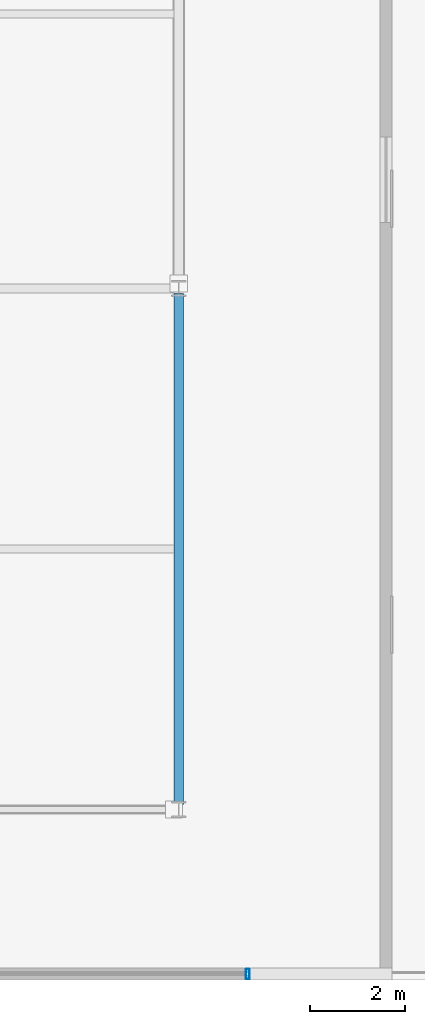
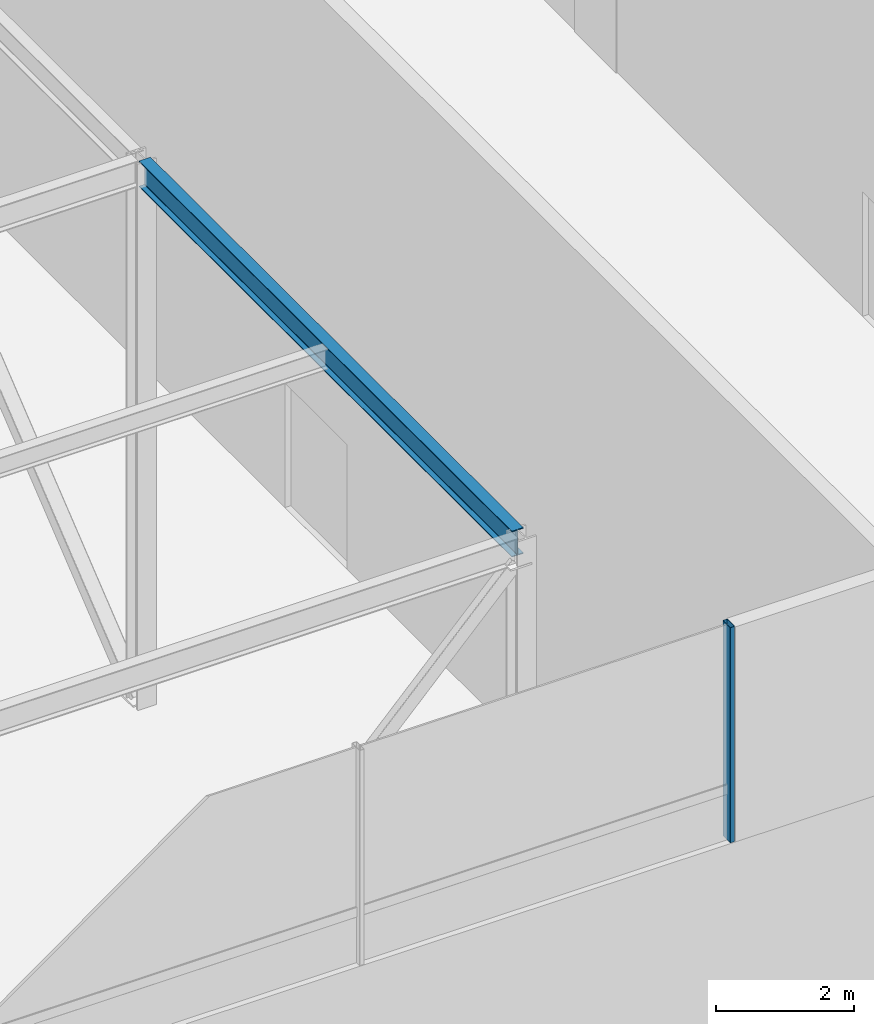
# One storey, part 11 of 42: 1 beam, 1 member, 1 element without a shape of its own.
"""IFC4 building model written with IfcOpenShell, lengths in metres."""

from ifc_helpers import new_model, si_unit, direction, frame, origin, origin_2d, place, context, subcontext, project, spatial, hollow_rectangle, i_section, extrude, material, layer, layer_set, material_profile, profile_set, type_object, element, aggregate, save


model = new_model("IFC4")

# Units and contexts
model_context = context("Model", 3, precision=1e-05, world=origin(), true_north=direction((0.0, 1.0)))
body_context = subcontext(model_context, "Body", "Model", "MODEL_VIEW")
ifc_project = project(units=[si_unit("LENGTHUNIT", "METRE"), si_unit("AREAUNIT", "SQUARE_METRE"), si_unit("VOLUMEUNIT", "CUBIC_METRE"), si_unit("PLANEANGLEUNIT", "RADIAN"), si_unit("MASSUNIT", "GRAM", prefix="KILO")], contexts=[model_context])

# Site, building, storey
site_placement = place(None, origin())
site = spatial("IfcSite", under=ifc_project, at=site_placement, CompositionType="ELEMENT")
building_placement = place(site_placement, origin())
building = spatial("IfcBuilding", under=site, at=building_placement, Name="Korimba Cascade Residences", CompositionType="ELEMENT")
storey_placement = place(building_placement, frame((0.0, 0.0, 207.60009765625)))
storey = spatial("IfcBuildingStorey", under=building, at=storey_placement, Name="L60", CompositionType="ELEMENT", Elevation=207.60009765625)

# Beam
ifc_material_1 = material(Name="Steel S355", Category="steel")
ifc_material_profile_1 = material_profile(ifc_material_1, i_section(OverallWidth=0.19140625, OverallDepth=0.4599609375, WebThickness=0.010009765625, FlangeThickness=0.01611328125, FilletRadius=0.01025390625, at=origin_2d()), Name="Steel S355")
ifc_profile_set_1 = profile_set([ifc_material_profile_1], Name="Steel S355")
beam_type = type_object("IfcBeamType", Name="BM-STL-UB457", PredefinedType="JOIST", material=ifc_profile_set_1)
beam_placement = place(storey_placement, frame((91.10009765625, -4.094970703125, 9.419921875), z_axis=(0.0, 1.0, 0.0), x_axis=(-1.0, 0.0, 0.0)))
element("IfcBeam", 1, at=beam_placement, inside=storey, type_object=beam_type, Name="L60 Crown Cap Tie Beam W3.1", PredefinedType="JOIST", context=body_context, shape_type="SweptSolid", body=[
    extrude(i_section(OverallWidth=0.19140625, OverallDepth=0.4599609375, WebThickness=0.010009765625, FlangeThickness=0.01611328125, FilletRadius=0.01025390625, at=origin_2d()), origin(), (0.0, 0.0, 1.0), 10.7900390625),
])

# Curtain wall, member
ifc_material_2 = material(Name="Anodised Aluminium Curtain Wall Framing", Category="aluminium")
ifc_layer = layer(ifc_material_2, 0.179931640625)
ifc_layer_set = layer_set([ifc_layer], Name="Anodised Aluminium Curtain Wall Framing")
curtain_wall_type = type_object("IfcCurtainWallType", Name="CW-CRNE-SYS6", PredefinedType="NOTDEFINED", material=ifc_layer_set)
curtain_wall_placement = place(storey_placement, origin())
curtain_wall = element("IfcCurtainWall", 2, at=curtain_wall_placement, inside=storey, type_object=curtain_wall_type, Name="L60 Curtain Wall CW-L60-CRN-W-3", PredefinedType="NOTDEFINED")
ifc_material_3 = material(Name="Anodised Aluminium Mullion", Category="aluminium")
ifc_material_profile_2 = material_profile(ifc_material_3, hollow_rectangle(XDim=0.080078125, YDim=0.219970703125, WallThickness=0.00634765625, InnerFilletRadius=0.00634765625, OuterFilletRadius=0.0126953125, at=origin_2d()), Name="Anodised Aluminium Mullion")
ifc_profile_set_2 = profile_set([ifc_material_profile_2], Name="Anodised Aluminium Mullion")
member_type = type_object("IfcMemberType", Name="CWM-MUL-220", PredefinedType="MULLION", material=ifc_profile_set_2)
member_placement = place(storey_placement, frame((92.56005859375, -7.675048828125, 5.849853515625), z_axis=(0.0, 0.0, 1.0), x_axis=(1.0, 0.0, 0.0)))
member = element("IfcMember", 3, at=member_placement, type_object=member_type, Name="CW-L60-CRN-W-3 Mullion 4", PredefinedType="MULLION", context=body_context, shape_type="SweptSolid", body=[
    extrude(hollow_rectangle(XDim=0.080078125, YDim=0.219970703125, WallThickness=0.00634765625, InnerFilletRadius=0.00634765625, OuterFilletRadius=0.0126953125, at=origin_2d()), origin(), (0.0, 0.0, 1.0), 3.800048828125),
])
aggregate(curtain_wall, [member])

save(model, "model.ifc")
